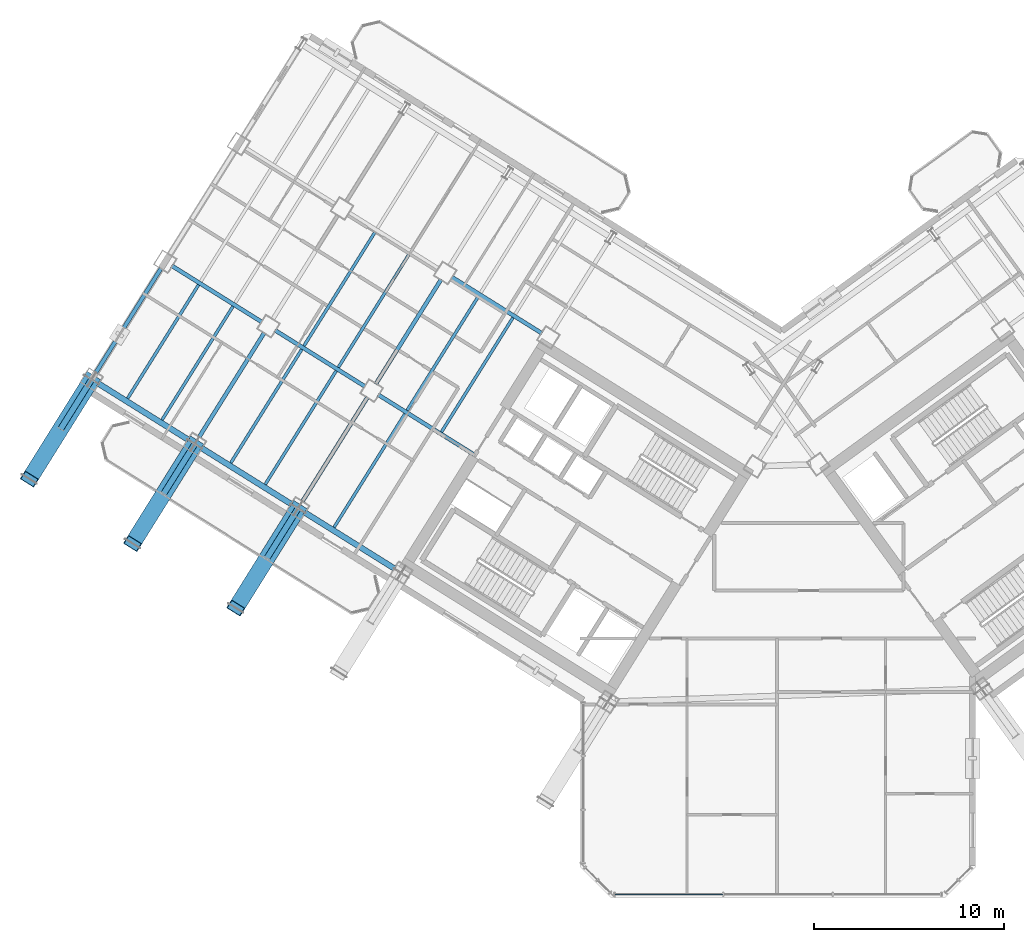
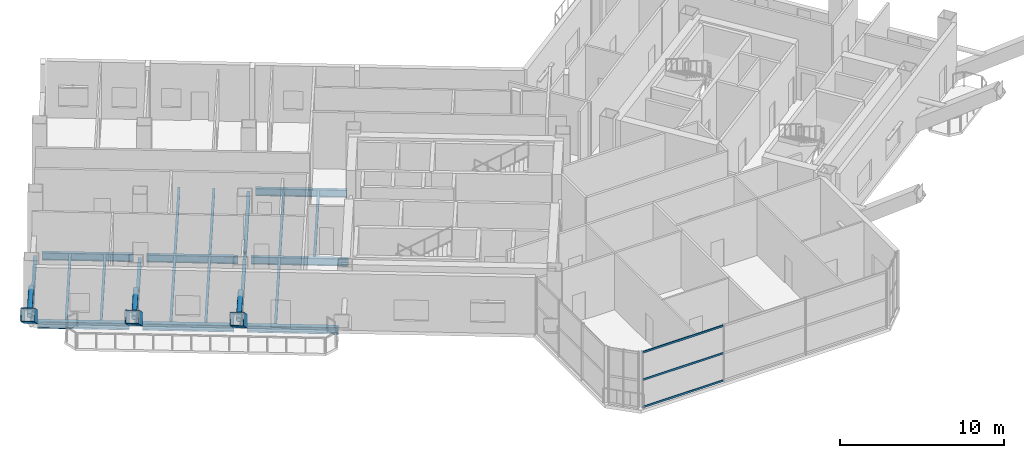
# One storey, part 7 of 32: 20 beams, 9 members, 1 element without a shape of its own.
"""IFC4 building model written with IfcOpenShell, lengths in metres."""

import ifcopenshell
import ifcopenshell.guid

model = None  # the IFC model being written
_history = None  # IfcOwnerHistory: only IFC2X3 demands one
_inside = {}  # id of a spatial element -> (the spatial element, [elements in it])
_under = {}  # id of a project, library or spatial element -> (it, [spatial elements below it])
_declared = {}  # id of a project -> (the project, [libraries it declares])
_typed = {}  # id of a type object -> (the type object, [elements of that type])
_made_of = {}  # id of a material, layer set ... -> (it, [elements and type objects made of it])


def new_model(schema):
    """Start an empty IFC model of exactly this schema.

    Asked for "IFC4X3", IfcOpenShell would pick the latest addendum, in which some entities
    have other attributes; the version numbers below select the first issue.
    IFC2X3 requires an IfcOwnerHistory on every rooted entity: one is made here for all.
    """
    global model, _history
    if schema == "IFC4X3":
        model = ifcopenshell.file(schema_version=(4, 3, 0, 0))
    else:
        model = ifcopenshell.file(schema=schema)
    _inside.clear()
    _under.clear()
    _declared.clear()
    _typed.clear()
    _made_of.clear()
    _history = None
    if model.schema == "IFC2X3":
        org = make("IfcOrganization", Name="unknown")
        user = make(
            "IfcPersonAndOrganization",
            ThePerson=make("IfcPerson", FamilyName="unknown"),
            TheOrganization=org,
        )
        app = make(
            "IfcApplication",
            ApplicationDeveloper=org,
            Version="unknown",
            ApplicationFullName="unknown",
            ApplicationIdentifier="unknown",
        )
        _history = make(
            "IfcOwnerHistory",
            OwningUser=user,
            OwningApplication=app,
            ChangeAction="ADDED",
            CreationDate=0,
        )
    return model


def make(cls, **values):
    """One entity of the class cls with the attributes given. An attribute that is None is left unset."""
    return model.create_entity(
        cls, **{name: value for name, value in values.items() if value is not None}
    )


def rooted(cls, **values):
    """An entity with a GlobalId (a new one), such as an element, a storey or a relation."""
    return make(cls, GlobalId=ifcopenshell.guid.new(), OwnerHistory=_history, **values)


def si_unit(unit_type, name, prefix=None):
    """IfcSIUnit, for example si_unit("LENGTHUNIT", "METRE", prefix="MILLI")."""
    return make("IfcSIUnit", UnitType=unit_type, Prefix=prefix, Name=name)


def assignment(units):
    """IfcUnitAssignment: the units of a project."""
    return None if units is None else make("IfcUnitAssignment", Units=units)


def point(xyz):
    """IfcCartesianPoint."""
    return None if xyz is None else make("IfcCartesianPoint", Coordinates=xyz)


def direction(xyz):
    """IfcDirection."""
    return None if xyz is None else make("IfcDirection", DirectionRatios=xyz)


def frame(location, z_axis=None, x_axis=None):
    """IfcAxis2Placement3D, a coordinate frame: its origin and axes. An axis left out is left unset."""
    return make(
        "IfcAxis2Placement3D",
        Location=point(location),
        Axis=direction(z_axis),
        RefDirection=direction(x_axis),
    )


def frame_2d(location, x_axis=None):
    """IfcAxis2Placement2D, a coordinate frame in the plane: its origin and x axis."""
    return make(
        "IfcAxis2Placement2D", Location=point(location), RefDirection=direction(x_axis)
    )


def origin():
    """The frame at (0, 0, 0) with its axes left unset."""
    return frame((0.0, 0.0, 0.0))


def origin_2d():
    """The frame at (0, 0) in the plane with its x axis left unset."""
    return frame_2d((0.0, 0.0))


def place(relative_to, where):
    """IfcLocalPlacement: puts the frame where relative to a parent placement (None: the world)."""
    return make(
        "IfcLocalPlacement", PlacementRelTo=relative_to, RelativePlacement=where
    )


def context(
    kind, dimensions, precision=None, world=None, true_north=None, identifier=None
):
    """IfcGeometricRepresentationContext, for example the 3D "Model" context."""
    return make(
        "IfcGeometricRepresentationContext",
        ContextIdentifier=identifier,
        ContextType=kind,
        CoordinateSpaceDimension=dimensions,
        Precision=precision,
        WorldCoordinateSystem=world,
        TrueNorth=true_north,
    )


def subcontext(parent, identifier, kind, view, scale=None):
    """IfcGeometricRepresentationSubContext, for example "Body" below "Model"."""
    return make(
        "IfcGeometricRepresentationSubContext",
        ContextIdentifier=identifier,
        ContextType=kind,
        ParentContext=parent,
        TargetScale=scale,
        TargetView=view,
    )


def project(units=None, contexts=None):
    """IfcProject with its units and contexts."""
    return rooted(
        "IfcProject",
        Name="project",
        RepresentationContexts=contexts,
        UnitsInContext=assignment(units),
    )


def spatial(cls, under=None, at=None, **own):
    """A site, building, storey or space (cls), placed at a placement, below another one or the project."""
    s = rooted(cls, ObjectPlacement=at, **own)
    if under is not None:
        _under.setdefault(under.id(), (under, []))[1].append(s)
    return s


def profile(cls, at=None, kind="AREA", **sizes):
    """A parametric profile (cls). Its sizes go by their IFC names, for example OverallWidth=200.0."""
    return make(cls, ProfileType=kind, Position=at, **sizes)


def hollow_rectangle(**sizes):
    """IfcRectangleHollowProfileDef."""
    return profile("IfcRectangleHollowProfileDef", **sizes)


def hollow_circle(**sizes):
    """IfcCircleHollowProfileDef."""
    return profile("IfcCircleHollowProfileDef", **sizes)


def i_section(**sizes):
    """IfcIShapeProfileDef."""
    return profile("IfcIShapeProfileDef", **sizes)


def extrude(swept, where, along, depth):
    """IfcExtrudedAreaSolid: the profile swept, set in the frame where, extruded along a direction by depth."""
    return make(
        "IfcExtrudedAreaSolid",
        SweptArea=swept,
        Position=where,
        ExtrudedDirection=direction(along),
        Depth=depth,
    )


def shape(context_of_items, identifier, shape_type, items):
    """IfcShapeRepresentation: the items that make up one representation, for example the "Body"."""
    return make(
        "IfcShapeRepresentation",
        ContextOfItems=context_of_items,
        RepresentationIdentifier=identifier,
        RepresentationType=shape_type,
        Items=items,
    )


def source(mapping_origin, context_of_items, identifier, shape_type, items):
    """IfcRepresentationMap: a shape defined once, which mapped items show again and again."""
    return make(
        "IfcRepresentationMap",
        MappingOrigin=mapping_origin,
        MappedRepresentation=shape(context_of_items, identifier, shape_type, items),
    )


def transform(
    local_origin,
    x_axis=None,
    y_axis=None,
    z_axis=None,
    scale=None,
    scale2=None,
    scale3=None,
    uniform=True,
):
    """IfcCartesianTransformationOperator3D, or its non-uniform kind. x_axis, y_axis, z_axis: its Axis1, 2, 3."""
    if uniform:
        return make(
            "IfcCartesianTransformationOperator3D",
            Axis1=direction(x_axis),
            Axis2=direction(y_axis),
            LocalOrigin=point(local_origin),
            Scale=scale,
            Axis3=direction(z_axis),
        )
    return make(
        "IfcCartesianTransformationOperator3DnonUniform",
        Axis1=direction(x_axis),
        Axis2=direction(y_axis),
        LocalOrigin=point(local_origin),
        Scale=scale,
        Axis3=direction(z_axis),
        Scale2=scale2,
        Scale3=scale3,
    )


def mapped(mapping_source, mapping_target):
    """IfcMappedItem: shows the shape of a source again, moved by a transform."""
    return make(
        "IfcMappedItem", MappingSource=mapping_source, MappingTarget=mapping_target
    )


def material(Name=None, Category=None):
    """IfcMaterial."""
    return make("IfcMaterial", Name=Name, Category=Category)


def material_profile(
    of_material, cross_section, Name=None, Category=None, Priority=None
):
    """IfcMaterialProfile: a cross section and its material."""
    return make(
        "IfcMaterialProfile",
        Name=Name,
        Material=of_material,
        Profile=cross_section,
        Priority=Priority,
        Category=Category,
    )


def profile_set(profiles, Name=None, composite=None):
    """IfcMaterialProfileSet."""
    return make(
        "IfcMaterialProfileSet",
        Name=Name,
        MaterialProfiles=profiles,
        CompositeProfile=composite,
    )


def made_of(thing, what):
    """Note that an element or type object is made of a material, layer set ...; save() writes the relation."""
    if what is not None:
        _made_of.setdefault(what.id(), (what, []))[1].append(thing)
    return thing


def type_object(cls, material=None, **own):
    """A type object (cls), such as IfcWallType, which elements share."""
    return made_of(rooted(cls, **own), material)


def element(
    cls,
    number,
    at=None,
    inside=None,
    cuts=None,
    type_object=None,
    material=None,
    context=None,
    identifier="Body",
    shape_type=None,
    held_by="IfcProductDefinitionShape",
    body=None,
    shapes=None,
    **own,
):
    """One element of the class cls, such as IfcWall. Its Tag is "e" and its number.

    at: its placement. inside: the storey or other place that contains it. cuts: it is an
    opening in that element (IfcRelVoidsElement). A single representation is given by context,
    identifier, shape_type and body (its items); several are given by shapes. held_by: the class
    of the entity that holds the representations. save() writes the other relations.
    """
    e = rooted(cls, Tag="e%d" % number, ObjectPlacement=at, **own)
    if body is not None:
        shapes = [shape(context, identifier, shape_type, body)]
    if shapes is not None:
        e.Representation = make(held_by, Representations=shapes)
    if inside is not None:
        _inside.setdefault(inside.id(), (inside, []))[1].append(e)
    if cuts is not None:
        rooted(
            "IfcRelVoidsElement", RelatingBuildingElement=cuts, RelatedOpeningElement=e
        )
    if type_object is not None:
        _typed.setdefault(type_object.id(), (type_object, []))[1].append(e)
    return made_of(e, material)


def aggregate(whole, parts):
    """IfcRelAggregates: a whole, such as a stair, and the parts it consists of."""
    return rooted("IfcRelAggregates", RelatingObject=whole, RelatedObjects=parts)


def save(model, path):
    """Write the relations noted so far, then the file.

    IfcRelAggregates (storeys below a building ...), IfcRelContainedInSpatialStructure (elements
    in a storey), IfcRelDefinesByType, IfcRelAssociatesMaterial and IfcRelDeclares: one each for
    every whole, place, type object, material and project.
    """
    for whole, parts in _under.values():
        aggregate(whole, parts)
    for where, things in _inside.values():
        rooted(
            "IfcRelContainedInSpatialStructure",
            RelatedElements=things,
            RelatingStructure=where,
        )
    for kind, things in _typed.values():
        rooted("IfcRelDefinesByType", RelatedObjects=things, RelatingType=kind)
    for what, things in _made_of.values():
        rooted("IfcRelAssociatesMaterial", RelatedObjects=things, RelatingMaterial=what)
    for by, libraries in _declared.values():
        rooted("IfcRelDeclares", RelatingContext=by, RelatedDefinitions=libraries)
    model.write(path)


model = new_model("IFC4")

# Units and contexts
model_context = context("Model", 3, precision=1e-05, world=origin(), true_north=direction((0.0, 1.0)))
body_context = subcontext(model_context, "Body", "Model", "MODEL_VIEW")
ifc_project = project(units=[si_unit("LENGTHUNIT", "METRE"), si_unit("AREAUNIT", "SQUARE_METRE"), si_unit("VOLUMEUNIT", "CUBIC_METRE"), si_unit("PLANEANGLEUNIT", "RADIAN"), si_unit("MASSUNIT", "GRAM", prefix="KILO")], contexts=[model_context])

# Site, building, storey
site_placement = place(None, origin())
site = spatial("IfcSite", under=ifc_project, at=site_placement, CompositionType="ELEMENT")
building_placement = place(site_placement, origin())
building = spatial("IfcBuilding", under=site, at=building_placement, Name="Tlacorven Tower", CompositionType="ELEMENT")
storey_placement = place(building_placement, frame((0.0, 0.0, 123.300048828125)))
storey = spatial("IfcBuildingStorey", under=building, at=storey_placement, Name="L31", CompositionType="ELEMENT", Elevation=123.300048828125)

# Members
ifc_material_1 = material(Name="Steel S460M", Category="steel")
ifc_material_profile_1 = material_profile(ifc_material_1, hollow_rectangle(XDim=0.85009765625, YDim=0.85009765625, WallThickness=0.0400390625, at=origin_2d()), Name="BOX 850X850X40")
ifc_profile_set_1 = profile_set([ifc_material_profile_1], Name="Steel S460M")
member_type_1 = type_object("IfcMemberType", Name="MB-RAK-EXT", PredefinedType="STRUT", material=ifc_profile_set_1)
shared_shape_1 = source(origin(), body_context, "Body", "SweptSolid", [
    extrude(hollow_rectangle(XDim=0.85009765625, YDim=0.85009765625, WallThickness=0.0400390625, at=origin_2d()), origin(), (0.0, 0.0, 1.0), 7.62109375),
])
for number, where, z_axis, x_axis, name in (
    (1, (16.755126953125, 22.24755859375, 0.01171875), (-0.428883381326, -0.686315921835, 0.587392118314), (0.848033882642, -0.529942009933, 0.0), "L31 Block-Shift Raking Transfer Strut W4"),
    (2, (11.32763671875, 25.63916015625, 0.01171875), (-0.428883381326, -0.686315921835, 0.587392118314), (0.848033882642, -0.529942009933, 0.0), "L31 Block-Shift Raking Transfer Strut W5"),
    (3, (5.89990234375, 29.030517578125, 0.01171875), (-0.428857238409, -0.686325351137, 0.587400188501), (0.848051671646, -0.529913542211, 0.0), "L31 Block-Shift Raking Transfer Strut W6"),
):
    element("IfcMember", number, at=place(storey_placement, frame(where, z_axis=z_axis, x_axis=x_axis)), inside=storey, type_object=member_type_1, Name=name, PredefinedType="STRUT", context=body_context, shape_type="MappedRepresentation", body=[
        mapped(shared_shape_1, transform((0.0, 0.0, 0.0), scale=1.0)),
    ])
ifc_material_profile_2 = material_profile(ifc_material_1, hollow_circle(Radius=0.161865234375, WallThickness=0.01611328125, at=origin_2d()), Name="CHS 323.9X16")
ifc_profile_set_2 = profile_set([ifc_material_profile_2], Name="Steel S460M")
member_type_2 = type_object("IfcMemberType", Name="MB-SHF-BRC", PredefinedType="BRACE", material=ifc_profile_set_2)
shared_shape_2 = source(origin(), body_context, "Body", "SweptSolid", [
    extrude(hollow_circle(Radius=0.161865234375, WallThickness=0.01611328125, at=origin_2d()), origin(), (0.0, 0.0, 1.0), 3.06005859375),
])
for number, where, z_axis, x_axis, name in (
    (4, (16.7529296875, 22.244384765625, 2.25), (-0.529934393004, -0.848038642463, 0.0), (0.848038642463, -0.529934393004, 0.0), "L31 Raking Strut Stabilising Web Brace W4"),
    (5, (11.325439453125, 25.6357421875, 2.25), (-0.529934393004, -0.848038642463, 0.0), (0.848038642463, -0.529934393004, 0.0), "L31 Raking Strut Stabilising Web Brace W5"),
    (6, (5.89794921875, 29.02734375, 2.25), (-0.529934393004, -0.848038642463, 0.0), (0.848038642463, -0.529934393004, 0.0), "L31 Raking Strut Stabilising Web Brace W6"),
):
    element("IfcMember", number, at=place(storey_placement, frame(where, z_axis=z_axis, x_axis=x_axis)), inside=storey, type_object=member_type_2, Name=name, PredefinedType="BRACE", context=body_context, shape_type="MappedRepresentation", body=[
        mapped(shared_shape_2, transform((0.0, 0.0, 0.0), scale=1.0)),
    ])

# Beams
ifc_material_2 = material(Name="Steel S355J2", Category="steel")
ifc_material_profile_3 = material_profile(ifc_material_2, i_section(OverallWidth=0.2099609375, OverallDepth=0.550048828125, WebThickness=0.010986328125, FlangeThickness=0.01708984375, at=origin_2d()), Name="IPE 550")
ifc_profile_set_3 = profile_set([ifc_material_profile_3], Name="Steel S355J2")
beam_type_1 = type_object("IfcBeamType", Name="BM-TWR-550", PredefinedType="BEAM", material=ifc_profile_set_3)
shared_shape_3 = source(origin(), body_context, "Body", "SweptSolid", [
    extrude(i_section(OverallWidth=0.2099609375, OverallDepth=0.550048828125, WebThickness=0.010986328125, FlangeThickness=0.01708984375, at=origin_2d()), origin(), (0.0, 0.0, 1.0), 5.599853515625),
])
for number, where, z_axis, x_axis, name in (
    (7, (29.588623046875, 31.46337890625, -0.525146484375), (-0.848047285686, 0.529920561254, 0.0), (-0.529920561254, -0.848047285686, 0.0), "L31 beam BM-L31-WL2-3"),
    (8, (20.292724609375, 28.6640625, -0.525146484375), (-0.848047285686, 0.529920561254, 0.0), (-0.529920561254, -0.848047285686, 0.0), "L31 beam BM-L31-WL3-4"),
):
    element("IfcBeam", number, at=place(storey_placement, frame(where, z_axis=z_axis, x_axis=x_axis)), inside=storey, type_object=beam_type_1, Name=name, PredefinedType="BEAM", context=body_context, shape_type="MappedRepresentation", body=[
        mapped(shared_shape_3, transform((0.0, 0.0, 0.0), scale=1.0)),
    ])
shared_shape_4 = source(origin(), body_context, "Body", "SweptSolid", [
    extrude(i_section(OverallWidth=0.2099609375, OverallDepth=0.550048828125, WebThickness=0.010986328125, FlangeThickness=0.01708984375, at=origin_2d()), origin(), (0.0, 0.0, 1.0), 5.960205078125),
])
beam_1_placement = place(storey_placement, frame((26.025634765625, 25.081787109375, -0.525146484375), z_axis=(-0.848042024898, 0.529928980153, 0.0), x_axis=(-0.529928980153, -0.848042024898, 0.0)))
element("IfcBeam", 9, at=beam_1_placement, inside=storey, type_object=beam_type_1, Name="L31 beam BM-L31-WL3-3", PredefinedType="BEAM", context=body_context, shape_type="MappedRepresentation", body=[
    mapped(shared_shape_4, transform((0.0, 0.0, 0.0), scale=1.0)),
])
shared_shape_5 = source(origin(), body_context, "Body", "SweptSolid", [
    extrude(i_section(OverallWidth=0.2099609375, OverallDepth=0.550048828125, WebThickness=0.010986328125, FlangeThickness=0.01708984375, at=origin_2d()), origin(), (0.0, 0.0, 1.0), 5.60009765625),
])
beam_2_placement = place(storey_placement, frame((14.865234375, 32.055419921875, -0.525146484375), z_axis=(-0.848027693204, 0.529951914384, 0.0), x_axis=(-0.529951914384, -0.848027693204, 0.0)))
element("IfcBeam", 10, at=beam_2_placement, inside=storey, type_object=beam_type_1, Name="L31 beam BM-L31-WL3-5", PredefinedType="BEAM", context=body_context, shape_type="MappedRepresentation", body=[
    mapped(shared_shape_5, transform((0.0, 0.0, 0.0), scale=1.0)),
])
ifc_material_profile_4 = material_profile(ifc_material_2, i_section(OverallWidth=0.300048828125, OverallDepth=0.489990234375, WebThickness=0.011962890625, FlangeThickness=0.02294921875, at=origin_2d()), Name="HEA 500")
ifc_profile_set_4 = profile_set([ifc_material_profile_4], Name="Steel S355J2")
beam_type_2 = type_object("IfcBeamType", Name="BM-SPN-500", PredefinedType="SPANDREL", material=ifc_profile_set_4)
shared_shape_6 = source(origin(), body_context, "Body", "SweptSolid", [
    extrude(i_section(OverallWidth=0.300048828125, OverallDepth=0.489990234375, WebThickness=0.011962890625, FlangeThickness=0.02294921875, at=origin_2d()), origin(), (0.0, 0.0, 1.0), 5.599853515625),
])
for number, where, z_axis, x_axis, name in (
    (11, (21.851806640625, 19.081787109375, -0.4951171875), (-0.848047285686, 0.529920561254, 0.0), (-0.529920561254, -0.848047285686, 0.0), "L31 beam BM-L31-WL4-3"),
    (12, (16.42431640625, 22.473388671875, -0.4951171875), (-0.848047285686, 0.529920561254, 0.0), (-0.529920561254, -0.848047285686, 0.0), "L31 beam BM-L31-WL4-4"),
    (13, (10.996826171875, 25.86474609375, -0.4951171875), (-0.848047285686, 0.529920561254, 0.0), (-0.529920561254, -0.848047285686, 0.0), "L31 beam BM-L31-WL4-5"),
):
    element("IfcBeam", number, at=place(storey_placement, frame(where, z_axis=z_axis, x_axis=x_axis)), inside=storey, type_object=beam_type_2, Name=name, PredefinedType="SPANDREL", context=body_context, shape_type="MappedRepresentation", body=[
        mapped(shared_shape_6, transform((0.0, 0.0, 0.0), scale=1.0)),
    ])
shared_shape_7 = source(origin(), body_context, "Body", "SweptSolid", [
    extrude(i_section(OverallWidth=0.2099609375, OverallDepth=0.550048828125, WebThickness=0.010986328125, FlangeThickness=0.01708984375, at=origin_2d()), origin(), (0.0, 0.0, 1.0), 6.500244140625),
])
beam_3_placement = place(storey_placement, frame((24.28857421875, 34.3037109375, -0.525146484375), z_axis=(-0.529921287515, -0.848046831866, 0.0), x_axis=(0.848046831866, -0.529921287515, 0.0)))
element("IfcBeam", 14, at=beam_3_placement, inside=storey, type_object=beam_type_1, Name="L31 beam BM-L31-WT4-2", PredefinedType="BEAM", context=body_context, shape_type="MappedRepresentation", body=[
    mapped(shared_shape_7, transform((0.0, 0.0, 0.0), scale=1.0)),
])
shared_shape_8 = source(origin(), body_context, "Body", "SweptSolid", [
    extrude(i_section(OverallWidth=0.2099609375, OverallDepth=0.550048828125, WebThickness=0.010986328125, FlangeThickness=0.01708984375, at=origin_2d()), origin(), (0.0, 0.0, 1.0), 6.5),
])
for number, where, z_axis, x_axis, name in (
    (15, (20.420166015625, 28.11279296875, -0.525146484375), (-0.529938166933, -0.848036284146, 0.0), (0.848036284146, -0.529938166933, 0.0), "L31 beam BM-L31-WT4-3"),
    (16, (14.992431640625, 31.50439453125, -0.525146484375), (-0.529894274829, -0.848063710757, 0.0), (0.848063710757, -0.529894274829, 0.0), "L31 beam BM-L31-WT5-3"),
):
    element("IfcBeam", number, at=place(storey_placement, frame(where, z_axis=z_axis, x_axis=x_axis)), inside=storey, type_object=beam_type_1, Name=name, PredefinedType="BEAM", context=body_context, shape_type="MappedRepresentation", body=[
        mapped(shared_shape_8, transform((0.0, 0.0, 0.0), scale=1.0)),
    ])
shared_shape_9 = source(origin(), body_context, "Body", "SweptSolid", [
    extrude(i_section(OverallWidth=0.2099609375, OverallDepth=0.550048828125, WebThickness=0.010986328125, FlangeThickness=0.01708984375, at=origin_2d()), origin(), (0.0, 0.0, 1.0), 6.499755859375),
])
beam_4_placement = place(storey_placement, frame((9.56494140625, 34.895751953125, -0.525146484375), z_axis=(-0.529911154058, -0.848053163902, 0.0), x_axis=(0.848053163902, -0.529911154058, 0.0)))
element("IfcBeam", 17, at=beam_4_placement, inside=storey, type_object=beam_type_1, Name="L31 beam BM-L31-WT6-3", PredefinedType="BEAM", context=body_context, shape_type="MappedRepresentation", body=[
    mapped(shared_shape_9, transform((0.0, 0.0, 0.0), scale=1.0)),
])
ifc_material_profile_5 = material_profile(ifc_material_2, i_section(OverallWidth=0.159912109375, OverallDepth=0.330078125, WebThickness=0.007568359375, FlangeThickness=0.011474609375, at=origin_2d()), Name="IPE 330")
ifc_profile_set_5 = profile_set([ifc_material_profile_5], Name="Steel S355J2")
beam_type_3 = type_object("IfcBeamType", Name="BM-JST-330", PredefinedType="JOIST", material=ifc_profile_set_5)
shared_shape_10 = source(origin(), body_context, "Body", "SweptSolid", [
    extrude(i_section(OverallWidth=0.159912109375, OverallDepth=0.330078125, WebThickness=0.007568359375, FlangeThickness=0.011474609375, at=origin_2d()), origin(), (0.0, 0.0, 1.0), 7.080078125),
])
for number, where, z_axis, x_axis, name in (
    (18, (28.060546875, 32.28857421875, -0.4150390625), (-0.529933847046, -0.848038983629, 0.0), (0.848038983629, -0.529933847046, 0.0), "L31 beam BM-L31-WJ3-2-1"),
    (19, (26.251220703125, 33.419189453125, -0.4150390625), (-0.529893550998, -0.848064163027, 0.0), (0.848064163027, -0.529893550998, 0.0), "L31 beam BM-L31-WJ3-2-2"),
    (20, (22.633056640625, 35.679931640625, -0.4150390625), (-0.529933847046, -0.848038983629, 0.0), (0.848038983629, -0.529933847046, 0.0), "L31 beam BM-L31-WJ4-2-1"),
):
    element("IfcBeam", number, at=place(storey_placement, frame(where, z_axis=z_axis, x_axis=x_axis)), inside=storey, type_object=beam_type_3, Name=name, PredefinedType="JOIST", context=body_context, shape_type="MappedRepresentation", body=[
        mapped(shared_shape_10, transform((0.0, 0.0, 0.0), scale=1.0)),
    ])
shared_shape_11 = source(origin(), body_context, "Body", "SweptSolid", [
    extrude(i_section(OverallWidth=0.159912109375, OverallDepth=0.330078125, WebThickness=0.007568359375, FlangeThickness=0.011474609375, at=origin_2d()), origin(), (0.0, 0.0, 1.0), 7.03515625),
])
for number, where, z_axis, x_axis, name in (
    (21, (22.3828125, 27.228271484375, -0.4150390625), (-0.529920952588, -0.848047041153, 0.0), (0.848047041153, -0.529920952588, 0.0), "L31 beam BM-L31-WJ3-3-2"),
    (22, (18.7646484375, 29.4892578125, -0.4150390625), (-0.529920952588, -0.848047041153, 0.0), (0.848047041153, -0.529920952588, 0.0), "L31 beam BM-L31-WJ4-3-1"),
    (23, (16.955322265625, 30.619873046875, -0.4150390625), (-0.529920952588, -0.848047041153, 0.0), (0.848047041153, -0.529920952588, 0.0), "L31 beam BM-L31-WJ4-3-2"),
    (24, (13.337158203125, 32.880859375, -0.4150390625), (-0.529920952588, -0.848047041153, 0.0), (0.848047041153, -0.529920952588, 0.0), "L31 beam BM-L31-WJ5-3-1"),
    (25, (11.52783203125, 34.01123046875, -0.4150390625), (-0.529920952588, -0.848047041153, 0.0), (0.848047041153, -0.529920952588, 0.0), "L31 beam BM-L31-WJ5-3-2"),
):
    element("IfcBeam", number, at=place(storey_placement, frame(where, z_axis=z_axis, x_axis=x_axis)), inside=storey, type_object=beam_type_3, Name=name, PredefinedType="JOIST", context=body_context, shape_type="MappedRepresentation", body=[
        mapped(shared_shape_11, transform((0.0, 0.0, 0.0), scale=1.0)),
    ])
shared_shape_12 = source(origin(), body_context, "Body", "SweptSolid", [
    extrude(i_section(OverallWidth=0.159912109375, OverallDepth=0.330078125, WebThickness=0.007568359375, FlangeThickness=0.011474609375, at=origin_2d()), origin(), (0.0, 0.0, 1.0), 7.079833984375),
])
beam_5_placement = place(storey_placement, frame((20.82373046875, 36.810546875, -0.4150390625), z_axis=(-0.529909047265, -0.848054480341, 0.0), x_axis=(0.848054480341, -0.529909047265, 0.0)))
element("IfcBeam", 26, at=beam_5_placement, inside=storey, type_object=beam_type_3, Name="L31 beam BM-L31-WJ4-2-2", PredefinedType="JOIST", context=body_context, shape_type="MappedRepresentation", body=[
    mapped(shared_shape_12, transform((0.0, 0.0, 0.0), scale=1.0)),
])

# Curtain wall, members
ifc_material_3 = material(Name="Dark solar low-E double glazing in aluminium frame", Category="aluminium")
curtain_wall_type = type_object("IfcCurtainWallType", Name="CW-TWR-MID", PredefinedType="USERDEFINED", material=ifc_material_3)
curtain_wall_placement = place(storey_placement, origin())
curtain_wall = element("IfcCurtainWall", 27, at=curtain_wall_placement, inside=storey, type_object=curtain_wall_type, Name="L31 CW-TWR-MID Curtain Wall 152", ObjectType="UNITISED CURTAIN WALL", PredefinedType="USERDEFINED")
ifc_material_4 = material(Name="Aluminium 6063-T6 anodised", Category="aluminium")
ifc_material_profile_6 = material_profile(ifc_material_4, hollow_rectangle(XDim=0.06005859375, YDim=0.139892578125, WallThickness=0.00390625, at=origin_2d()), Name="ALU TRANSOM 60X140")
ifc_profile_set_6 = profile_set([ifc_material_profile_6], Name="Aluminium 6063-T6 anodised")
member_type_3 = type_object("IfcMemberType", Name="CWT-02", PredefinedType="USERDEFINED", material=ifc_profile_set_6)
shared_shape_13 = source(origin(), body_context, "Body", "SweptSolid", [
    extrude(hollow_rectangle(XDim=0.06005859375, YDim=0.139892578125, WallThickness=0.00390625, at=origin_2d()), origin(), (0.0, 0.0, 1.0), 5.682373046875),
])
member_1_placement = place(storey_placement, frame((39.1015625, 1.9599609375, 0.070068359375), z_axis=(-1.0, 0.0, 0.0), x_axis=(0.0, -1.0, 0.0)))
member_1 = element("IfcMember", 28, at=member_1_placement, type_object=member_type_3, Name="CW-L31-152 Transom 7", ObjectType="TRANSOM", PredefinedType="USERDEFINED", context=body_context, shape_type="MappedRepresentation", body=[
    mapped(shared_shape_13, transform((0.0, 0.0, 0.0), scale=1.0)),
])
member_2_placement = place(storey_placement, frame((39.1015625, 1.9599609375, 2.10986328125), z_axis=(-1.0, 0.0, 0.0), x_axis=(0.0, -1.0, 0.0)))
member_2 = element("IfcMember", 29, at=member_2_placement, type_object=member_type_3, Name="CW-L31-152 Transom 8", ObjectType="TRANSOM", PredefinedType="USERDEFINED", context=body_context, shape_type="MappedRepresentation", body=[
    mapped(shared_shape_13, transform((0.0, 0.0, 0.0), scale=1.0)),
])
member_3_placement = place(storey_placement, frame((39.1015625, 1.9599609375, 4.14990234375), z_axis=(-1.0, 0.0, 0.0), x_axis=(0.0, -1.0, 0.0)))
member_3 = element("IfcMember", 30, at=member_3_placement, type_object=member_type_3, Name="CW-L31-152 Transom 9", ObjectType="TRANSOM", PredefinedType="USERDEFINED", context=body_context, shape_type="MappedRepresentation", body=[
    mapped(shared_shape_13, transform((0.0, 0.0, 0.0), scale=1.0)),
])
aggregate(curtain_wall, [member_1, member_2, member_3])

save(model, "model.ifc")
